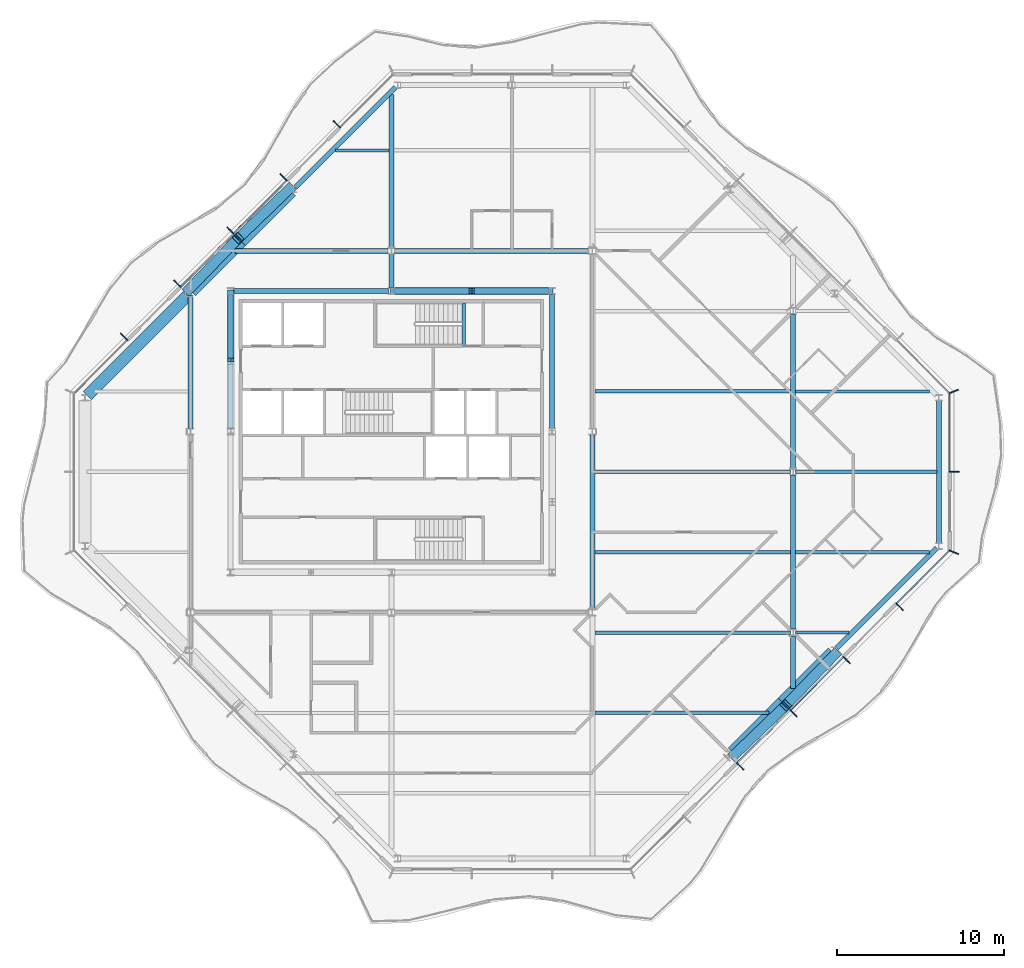
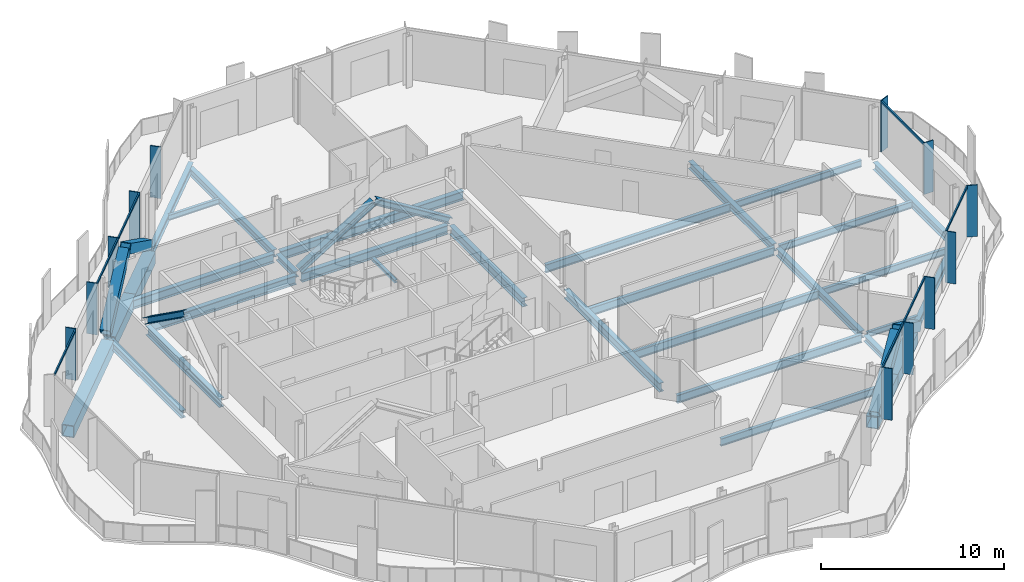
# One storey, part 4 of 16: 32 beams, 26 members, 4 elements without a shape of their own.
"""IFC4 building model written with IfcOpenShell, lengths in metres."""

from ifc_helpers import new_model, si_unit, direction, frame, origin, origin_2d, place, context, subcontext, project, spatial, rectangle, hollow_rectangle, i_section, extrude, material, material_profile, profile_set, type_object, element, aggregate, save


model = new_model("IFC4")

# Units and contexts
model_context = context("Model", 3, precision=1e-05, world=origin(), true_north=direction((0.0, 1.0)))
body_context = subcontext(model_context, "Body", "Model", "MODEL_VIEW")
ifc_project = project(units=[si_unit("LENGTHUNIT", "METRE"), si_unit("AREAUNIT", "SQUARE_METRE"), si_unit("VOLUMEUNIT", "CUBIC_METRE"), si_unit("PLANEANGLEUNIT", "RADIAN"), si_unit("MASSUNIT", "GRAM", prefix="KILO")], contexts=[model_context])

# Site, building, storey
site_placement = place(None, origin())
site = spatial("IfcSite", under=ifc_project, at=site_placement, CompositionType="ELEMENT")
building_placement = place(site_placement, origin())
building = spatial("IfcBuilding", under=site, at=building_placement, Name="Cairn Pilgrim Tower", CompositionType="ELEMENT")
storey_placement = place(building_placement, frame((0.0, 0.0, 288.60009765625)))
storey = spatial("IfcBuildingStorey", under=building, at=storey_placement, Name="L74", CompositionType="ELEMENT", Elevation=288.60009765625)

# Members
ifc_material_1 = material(Name="Structural steel S460M", Category="steel")
ifc_material_profile_1 = material_profile(ifc_material_1, hollow_rectangle(XDim=0.60009765625, YDim=0.60009765625, WallThickness=0.034912109375, at=origin_2d()), Name="BOX 600x600x35")
ifc_profile_set_1 = profile_set([ifc_material_profile_1], Name="Structural steel S460M")
member_type_1 = type_object("IfcMemberType", Name="BOX 600x600x35 BRACE", PredefinedType="BRACE", material=ifc_profile_set_1)
for number, where, z_axis, x_axis, name in (
    (1, (27.602294921875, -16.98779296875, 0.14990234375), (0.613660799233, 0.591469196702, 0.523053164447), (-0.693968270733, 0.720005582767, 0.0), "XB-SE2-SE3-1"),
    (2, (33.78759765625, -10.80224609375, 0.14990234375), (-0.59143769276, -0.613678385942, 0.52306815446), (0.720033989027, -0.693938797478, 0.0), "XB-SE2-SE3-2"),
    (3, (1.19775390625, 16.98779296875, 0.14990234375), (-0.613660799233, -0.591469196702, 0.523053164447), (0.693968270733, -0.720005582767, 0.0), "XB-NW2-NW3-1"),
    (4, (-4.98779296875, 10.80224609375, 0.14990234375), (0.591469196702, 0.613660799233, 0.523053164447), (-0.720005582767, 0.693968270733, 0.0), "XB-NW2-NW3-2"),
):
    element("IfcMember", number, at=place(storey_placement, frame(where, z_axis=z_axis, x_axis=x_axis)), inside=storey, type_object=member_type_1, Name=name, PredefinedType="BRACE", context=body_context, shape_type="SweptSolid", body=[
        extrude(hollow_rectangle(XDim=0.60009765625, YDim=0.60009765625, WallThickness=0.034912109375, at=origin_2d()), origin(), (0.0, 0.0, 1.0), 5.03857421875),
    ])

# Beams
ifc_material_2 = material(Name="Structural steel S355J2", Category="steel")
ifc_material_profile_2 = material_profile(ifc_material_2, hollow_rectangle(XDim=0.699951171875, YDim=0.800048828125, WallThickness=0.0400390625, at=origin_2d()), Name="BOX 700x800x40")
ifc_profile_set_2 = profile_set([ifc_material_profile_2], Name="Structural steel S355J2")
beam_type_1 = type_object("IfcBeamType", Name="BOX 700x800x40 RING GIRDER", PredefinedType="SPANDREL", material=ifc_profile_set_2)
for number, where, z_axis, x_axis, name in (
    (5, (27.575927734375, -16.751220703125, -0.550048828125), (0.707135671578, 0.707077889614, 0.0), (-0.707077889614, 0.707135671578, 0.0), "RG4-SE2-SE3-1"),
    (6, (30.563720703125, -13.763671875, -0.550048828125), (0.707077889614, 0.707135671578, 0.0), (-0.707135671578, 0.707077889614, 0.0), "RG4-SE2-SE3-2"),
    (7, (1.22412109375, 16.751220703125, -0.550048828125), (-0.707135671578, -0.707077889614, 0.0), (0.707077889614, -0.707135671578, 0.0), "RG4-NW2-NW3-1"),
    (8, (-1.763671875, 13.763671875, -0.550048828125), (-0.707077889614, -0.707135671578, 0.0), (0.707135671578, -0.707077889614, 0.0), "RG4-NW2-NW3-2"),
):
    element("IfcBeam", number, at=place(storey_placement, frame(where, z_axis=z_axis, x_axis=x_axis)), inside=storey, type_object=beam_type_1, Name=name, PredefinedType="SPANDREL", context=body_context, shape_type="SweptSolid", body=[
        extrude(hollow_rectangle(XDim=0.699951171875, YDim=0.800048828125, WallThickness=0.0400390625, at=origin_2d()), origin(), (0.0, 0.0, 1.0), 4.22509765625),
    ])
beam_1_placement = place(storey_placement, frame((-5.000244140625, 10.527099609375, -0.550048828125), z_axis=(-0.707092335843, -0.707121226235, 0.0), x_axis=(0.707121226235, -0.707092335843, 0.0)))
element("IfcBeam", 9, at=beam_1_placement, inside=storey, type_object=beam_type_1, Name="RG4-NW3-W1", PredefinedType="SPANDREL", context=body_context, shape_type="SweptSolid", body=[
    extrude(hollow_rectangle(XDim=0.699951171875, YDim=0.800048828125, WallThickness=0.0400390625, at=origin_2d()), origin(), (0.0, 0.0, 1.0), 8.45068359375),
])

# Curtain wall, members
ifc_material_3 = material(Name="Aluminium alloy 6063-T6 bronze anodised with Bronze tinted laminated low-E glass 8+16+8.8", Category="aluminium")
curtain_wall_type = type_object("IfcCurtainWallType", Name="CROWN CURTAIN WALL", PredefinedType="NOTDEFINED", material=ifc_material_3)
curtain_wall_1_placement = place(storey_placement, origin())
curtain_wall_1 = element("IfcCurtainWall", 10, at=curtain_wall_1_placement, inside=storey, type_object=curtain_wall_type, Name="Crown Curtain Wall SE", PredefinedType="NOTDEFINED")
ifc_material_4 = material(Name="Aluminium alloy 6063-T6 bronze anodised", Category="aluminium")
ifc_material_profile_3 = material_profile(ifc_material_4, rectangle(XDim=0.60009765625, YDim=0.06005859375, at=origin_2d()), Name="FIN MULLION 60x600 BRONZE")
ifc_profile_set_3 = profile_set([ifc_material_profile_3], Name="Aluminium alloy 6063-T6 bronze anodised")
member_type_2 = type_object("IfcMemberType", Name="FIN MULLION 60x600 BRONZE", PredefinedType="MULLION", material=ifc_profile_set_3)
member_1_placement = place(storey_placement, frame((28.03857421875, -17.58984375, 0.0), z_axis=(0.0, 0.0, 1.0), x_axis=(0.707106781187, -0.707106781187, 0.0)))
member_1 = element("IfcMember", 11, at=member_1_placement, type_object=member_type_2, Name="Fin mullion SE3", PredefinedType="MULLION", context=body_context, shape_type="SweptSolid", body=[
    extrude(rectangle(XDim=0.60009765625, YDim=0.06005859375, at=origin_2d()), origin(), (0.0, 0.0, 1.0), 3.449951171875),
])
member_2_placement = place(storey_placement, frame((31.214111328125, -14.4140625, 0.0), z_axis=(0.0, 0.0, 1.0), x_axis=(0.707106781187, -0.707106781187, 0.0)))
member_2 = element("IfcMember", 12, at=member_2_placement, type_object=member_type_2, Name="Fin mullion SE4", PredefinedType="MULLION", context=body_context, shape_type="SweptSolid", body=[
    extrude(rectangle(XDim=0.60009765625, YDim=0.06005859375, at=origin_2d()), origin(), (0.0, 0.0, 1.0), 3.449951171875),
])
member_3_placement = place(storey_placement, frame((34.3896484375, -11.238525390625, 0.0), z_axis=(0.0, 0.0, 1.0), x_axis=(0.707106781187, -0.707106781187, 0.0)))
member_3 = element("IfcMember", 13, at=member_3_placement, type_object=member_type_2, Name="Fin mullion SE5", PredefinedType="MULLION", context=body_context, shape_type="SweptSolid", body=[
    extrude(rectangle(XDim=0.60009765625, YDim=0.06005859375, at=origin_2d()), origin(), (0.0, 0.0, 1.0), 3.449951171875),
])
member_4_placement = place(storey_placement, frame((37.5654296875, -8.06298828125, 0.0), z_axis=(0.0, 0.0, 1.0), x_axis=(0.707106781187, -0.707106781187, 0.0)))
member_4 = element("IfcMember", 14, at=member_4_placement, type_object=member_type_2, Name="Fin mullion SE6", PredefinedType="MULLION", context=body_context, shape_type="SweptSolid", body=[
    extrude(rectangle(XDim=0.60009765625, YDim=0.06005859375, at=origin_2d()), origin(), (0.0, 0.0, 1.0), 3.449951171875),
])

curtain_wall_2_placement = place(storey_placement, origin())
curtain_wall_2 = element("IfcCurtainWall", 15, at=curtain_wall_2_placement, inside=storey, type_object=curtain_wall_type, Name="Crown Curtain Wall E", PredefinedType="NOTDEFINED")
member_5_placement = place(storey_placement, frame((40.799560546875, -4.7998046875, 0.0), z_axis=(0.0, 0.0, 1.0), x_axis=(0.923879532511, -0.382683432365, 0.0)))
member_5 = element("IfcMember", 16, at=member_5_placement, type_object=member_type_2, Name="Fin mullion E1", PredefinedType="MULLION", context=body_context, shape_type="SweptSolid", body=[
    extrude(rectangle(XDim=0.60009765625, YDim=0.06005859375, at=origin_2d()), origin(), (0.0, 0.0, 1.0), 3.449951171875),
])
member_6_placement = place(storey_placement, frame((40.820068359375, 0.0, 0.0), z_axis=(0.0, 0.0, 1.0), x_axis=(1.0, 0.0, 0.0)))
member_6 = element("IfcMember", 17, at=member_6_placement, type_object=member_type_2, Name="Fin mullion E2", PredefinedType="MULLION", context=body_context, shape_type="SweptSolid", body=[
    extrude(rectangle(XDim=0.60009765625, YDim=0.06005859375, at=origin_2d()), origin(), (0.0, 0.0, 1.0), 3.449951171875),
])

# Curtain wall, member
curtain_wall_3_placement = place(storey_placement, origin())
curtain_wall_3 = element("IfcCurtainWall", 18, at=curtain_wall_3_placement, inside=storey, type_object=curtain_wall_type, Name="Crown Curtain Wall NE", PredefinedType="NOTDEFINED")
member_7_placement = place(storey_placement, frame((40.799560546875, 4.7998046875, 0.0), z_axis=(0.0, 0.0, 1.0), x_axis=(0.923879532511, 0.382683432365, 0.0)))
member_7 = element("IfcMember", 19, at=member_7_placement, type_object=member_type_2, Name="Fin mullion NE1", PredefinedType="MULLION", context=body_context, shape_type="SweptSolid", body=[
    extrude(rectangle(XDim=0.60009765625, YDim=0.06005859375, at=origin_2d()), origin(), (0.0, 0.0, 1.0), 3.449951171875),
])
aggregate(curtain_wall_3, [member_7])

# Curtain wall, members
curtain_wall_4_placement = place(storey_placement, origin())
curtain_wall_4 = element("IfcCurtainWall", 20, at=curtain_wall_4_placement, inside=storey, type_object=curtain_wall_type, Name="Crown Curtain Wall NW", PredefinedType="NOTDEFINED")
member_8_placement = place(storey_placement, frame((3.93701171875, 20.765380859375, 0.0), z_axis=(0.0, 0.0, 1.0), x_axis=(-0.707106781187, 0.707106781187, 0.0)))
member_8 = element("IfcMember", 21, at=member_8_placement, type_object=member_type_2, Name="Fin mullion NW2", PredefinedType="MULLION", context=body_context, shape_type="SweptSolid", body=[
    extrude(rectangle(XDim=0.60009765625, YDim=0.06005859375, at=origin_2d()), origin(), (0.0, 0.0, 1.0), 3.449951171875),
])
member_9_placement = place(storey_placement, frame((0.761474609375, 17.58984375, 0.0), z_axis=(0.0, 0.0, 1.0), x_axis=(-0.707106781187, 0.707106781187, 0.0)))
member_9 = element("IfcMember", 22, at=member_9_placement, type_object=member_type_2, Name="Fin mullion NW3", PredefinedType="MULLION", context=body_context, shape_type="SweptSolid", body=[
    extrude(rectangle(XDim=0.60009765625, YDim=0.06005859375, at=origin_2d()), origin(), (0.0, 0.0, 1.0), 3.449951171875),
])
member_10_placement = place(storey_placement, frame((-2.4140625, 14.4140625, 0.0), z_axis=(0.0, 0.0, 1.0), x_axis=(-0.707106781187, 0.707106781187, 0.0)))
member_10 = element("IfcMember", 23, at=member_10_placement, type_object=member_type_2, Name="Fin mullion NW4", PredefinedType="MULLION", context=body_context, shape_type="SweptSolid", body=[
    extrude(rectangle(XDim=0.60009765625, YDim=0.06005859375, at=origin_2d()), origin(), (0.0, 0.0, 1.0), 3.449951171875),
])
member_11_placement = place(storey_placement, frame((-5.58984375, 11.238525390625, 0.0), z_axis=(0.0, 0.0, 1.0), x_axis=(-0.707106781187, 0.707106781187, 0.0)))
member_11 = element("IfcMember", 24, at=member_11_placement, type_object=member_type_2, Name="Fin mullion NW5", PredefinedType="MULLION", context=body_context, shape_type="SweptSolid", body=[
    extrude(rectangle(XDim=0.60009765625, YDim=0.06005859375, at=origin_2d()), origin(), (0.0, 0.0, 1.0), 3.449951171875),
])
member_12_placement = place(storey_placement, frame((-8.765380859375, 8.06298828125, 0.0), z_axis=(0.0, 0.0, 1.0), x_axis=(-0.707106781187, 0.707106781187, 0.0)))
member_12 = element("IfcMember", 25, at=member_12_placement, type_object=member_type_2, Name="Fin mullion NW6", PredefinedType="MULLION", context=body_context, shape_type="SweptSolid", body=[
    extrude(rectangle(XDim=0.60009765625, YDim=0.06005859375, at=origin_2d()), origin(), (0.0, 0.0, 1.0), 3.449951171875),
])

# Members
ifc_material_profile_4 = material_profile(ifc_material_2, i_section(OverallWidth=0.39794921875, OverallDepth=0.386962890625, WebThickness=0.02099609375, FlangeThickness=0.033203125, FilletRadius=0.014892578125, at=origin_2d()), Name="HD 400x262")
ifc_profile_set_4 = profile_set([ifc_material_profile_4], Name="Structural steel S355J2")
member_type_3 = type_object("IfcMemberType", Name="HD 400x262 BRACE", PredefinedType="BRACE", material=ifc_profile_set_4)
for number, where, z_axis, x_axis, name in (
    (26, (16.76025390625, 10.800048828125, 0.099853515625), (-0.851209328867, 0.0, 0.524826331703), (0.0, -1.0, 0.0), "KB-3A"),
    (27, (7.23974609375, 10.800048828125, 0.099853515625), (0.851209328867, 0.0, 0.524826331703), (0.0, 1.0, 0.0), "KB-3B"),
):
    element("IfcMember", number, at=place(storey_placement, frame(where, z_axis=z_axis, x_axis=x_axis)), inside=storey, type_object=member_type_3, Name=name, PredefinedType="BRACE", context=body_context, shape_type="SweptSolid", body=[
        extrude(i_section(OverallWidth=0.39794921875, OverallDepth=0.386962890625, WebThickness=0.02099609375, FlangeThickness=0.033203125, FilletRadius=0.014892578125, at=origin_2d()), origin(), (0.0, 0.0, 1.0), 5.530029296875),
    ])
member_13_placement = place(storey_placement, frame((-2.39990234375, 10.76025390625, 0.099853515625), z_axis=(0.0, -0.814462005215, 0.580216892258), x_axis=(1.0, 0.0, 0.0)))
element("IfcMember", 28, at=member_13_placement, inside=storey, type_object=member_type_3, Name="KB-4A", PredefinedType="BRACE", context=body_context, shape_type="SweptSolid", body=[
    extrude(i_section(OverallWidth=0.39794921875, OverallDepth=0.386962890625, WebThickness=0.02099609375, FlangeThickness=0.033203125, FilletRadius=0.014892578125, at=origin_2d()), origin(), (0.0, 0.0, 1.0), 4.999755859375),
])

# Beams
ifc_material_profile_5 = material_profile(ifc_material_2, i_section(OverallWidth=0.300048828125, OverallDepth=0.39990234375, WebThickness=0.013427734375, FlangeThickness=0.02392578125, FilletRadius=0.027099609375, at=origin_2d()), Name="HEB 400")
ifc_profile_set_5 = profile_set([ifc_material_profile_5], Name="Structural steel S355J2")
beam_type_2 = type_object("IfcBeamType", Name="HEB 400 GIRDER", PredefinedType="BEAM", material=ifc_profile_set_5)
beam_2_placement = place(storey_placement, frame((7.199951171875, 10.9990234375, -0.35009765625), z_axis=(0.0, 1.0, 0.0), x_axis=(-1.0, 0.0, 0.0)))
element("IfcBeam", 29, at=beam_2_placement, inside=storey, type_object=beam_type_2, Name="PG3-E2", PredefinedType="BEAM", context=body_context, shape_type="SweptSolid", body=[
    extrude(i_section(OverallWidth=0.300048828125, OverallDepth=0.39990234375, WebThickness=0.013427734375, FlangeThickness=0.02392578125, FilletRadius=0.027099609375, at=origin_2d()), origin(), (0.0, 0.0, 1.0), 2.00390625),
])
beam_3_placement = place(storey_placement, frame((31.199951171875, -12.945068359375, -0.35009765625), z_axis=(0.0, 1.0, 0.0), x_axis=(-1.0, 0.0, 0.0)))
element("IfcBeam", 30, at=beam_3_placement, inside=storey, type_object=beam_type_2, Name="PG5-1", PredefinedType="BEAM", context=body_context, shape_type="SweptSolid", body=[
    extrude(i_section(OverallWidth=0.300048828125, OverallDepth=0.39990234375, WebThickness=0.013427734375, FlangeThickness=0.02392578125, FilletRadius=0.027099609375, at=origin_2d()), origin(), (0.0, 0.0, 1.0), 3.14794921875),
])
ifc_material_profile_6 = material_profile(ifc_material_2, i_section(OverallWidth=0.300048828125, OverallDepth=0.5, WebThickness=0.014404296875, FlangeThickness=0.028076171875, FilletRadius=0.027099609375, at=origin_2d()), Name="HEB 500")
ifc_profile_set_6 = profile_set([ifc_material_profile_6], Name="Structural steel S355J2")
beam_type_3 = type_object("IfcBeamType", Name="HEB 500 GIRDER", PredefinedType="BEAM", material=ifc_profile_set_6)
beam_4_placement = place(storey_placement, frame((-4.800048828125, 2.596923828125, -0.400146484375), z_axis=(0.0, 1.0, 0.0), x_axis=(-1.0, 0.0, 0.0)))
element("IfcBeam", 31, at=beam_4_placement, inside=storey, type_object=beam_type_3, Name="PG2-2", PredefinedType="BEAM", context=body_context, shape_type="SweptSolid", body=[
    extrude(i_section(OverallWidth=0.300048828125, OverallDepth=0.5, WebThickness=0.014404296875, FlangeThickness=0.028076171875, FilletRadius=0.027099609375, at=origin_2d()), origin(), (0.0, 0.0, 1.0), 7.9482421875),
])
beam_5_placement = place(storey_placement, frame((7.199951171875, 13.39697265625, -0.400146484375), z_axis=(0.0, 1.0, 0.0), x_axis=(-1.0, 0.0, 0.0)))
element("IfcBeam", 32, at=beam_5_placement, inside=storey, type_object=beam_type_3, Name="PG3-2", PredefinedType="BEAM", context=body_context, shape_type="SweptSolid", body=[
    extrude(i_section(OverallWidth=0.300048828125, OverallDepth=0.5, WebThickness=0.014404296875, FlangeThickness=0.028076171875, FilletRadius=0.027099609375, at=origin_2d()), origin(), (0.0, 0.0, 1.0), 9.148193359375),
])
for number, where, z_axis, x_axis, name in (
    (33, (31.199951171875, -9.403076171875, -0.400146484375), (0.0, 1.0, 0.0), (-1.0, 0.0, 0.0), "PG5-2"),
    (34, (31.199951171875, 0.197021484375, -0.400146484375), (0.0, 1.0, 0.0), (-1.0, 0.0, 0.0), "PG5-3"),
):
    element("IfcBeam", number, at=place(storey_placement, frame(where, z_axis=z_axis, x_axis=x_axis)), inside=storey, type_object=beam_type_3, Name=name, PredefinedType="BEAM", context=body_context, shape_type="SweptSolid", body=[
        extrude(i_section(OverallWidth=0.300048828125, OverallDepth=0.5, WebThickness=0.014404296875, FlangeThickness=0.028076171875, FilletRadius=0.027099609375, at=origin_2d()), origin(), (0.0, 0.0, 1.0), 9.2060546875),
    ])
ifc_material_profile_7 = material_profile(ifc_material_2, i_section(OverallWidth=0.300048828125, OverallDepth=0.5, WebThickness=0.014404296875, FlangeThickness=0.028076171875, FilletRadius=0.027099609375, at=origin_2d()), Name="HEB 500")
ifc_profile_set_7 = profile_set([ifc_material_profile_7], Name="Structural steel S355J2")
beam_type_4 = type_object("IfcBeamType", Name="HEB 500 RING GIRDER", PredefinedType="SPANDREL", material=ifc_profile_set_7)
beam_6_placement = place(storey_placement, frame((33.80029296875, -10.527099609375, -0.400146484375), z_axis=(0.707092335843, 0.707121226235, 0.0), x_axis=(-0.707121226235, 0.707092335843, 0.0)))
element("IfcBeam", 35, at=beam_6_placement, inside=storey, type_object=beam_type_4, Name="RG4-SE3-E1", PredefinedType="SPANDREL", context=body_context, shape_type="SweptSolid", body=[
    extrude(i_section(OverallWidth=0.300048828125, OverallDepth=0.5, WebThickness=0.014404296875, FlangeThickness=0.028076171875, FilletRadius=0.027099609375, at=origin_2d()), origin(), (0.0, 0.0, 1.0), 8.45068359375),
])
beam_7_placement = place(storey_placement, frame((39.89990234375, -4.251220703125, -0.400146484375), z_axis=(0.0, 1.0, 0.0), x_axis=(-1.0, 0.0, 0.0)))
element("IfcBeam", 36, at=beam_7_placement, inside=storey, type_object=beam_type_4, Name="RG4-E1-NE1", PredefinedType="SPANDREL", context=body_context, shape_type="SweptSolid", body=[
    extrude(i_section(OverallWidth=0.300048828125, OverallDepth=0.5, WebThickness=0.014404296875, FlangeThickness=0.028076171875, FilletRadius=0.027099609375, at=origin_2d()), origin(), (0.0, 0.0, 1.0), 8.50244140625),
])
beam_8_placement = place(storey_placement, frame((7.448486328125, 22.9755859375, -0.400146484375), z_axis=(-0.707121226235, -0.707092335843, 0.0), x_axis=(0.707092335843, -0.707121226235, 0.0)))
element("IfcBeam", 37, at=beam_8_placement, inside=storey, type_object=beam_type_4, Name="RG4-NW1-NW2", PredefinedType="SPANDREL", context=body_context, shape_type="SweptSolid", body=[
    extrude(i_section(OverallWidth=0.300048828125, OverallDepth=0.5, WebThickness=0.014404296875, FlangeThickness=0.028076171875, FilletRadius=0.027099609375, at=origin_2d()), origin(), (0.0, 0.0, 1.0), 8.45068359375),
])
ifc_material_profile_8 = material_profile(ifc_material_2, i_section(OverallWidth=0.300048828125, OverallDepth=0.60009765625, WebThickness=0.015380859375, FlangeThickness=0.030029296875, FilletRadius=0.027099609375, at=origin_2d()), Name="HEB 600")
ifc_profile_set_8 = profile_set([ifc_material_profile_8], Name="Structural steel S355J2")
beam_type_5 = type_object("IfcBeamType", Name="HEB 600 CORE BEAM", PredefinedType="BEAM", material=ifc_profile_set_8)
beam_9_placement = place(storey_placement, frame((16.800048828125, 2.5791015625, -0.4501953125), z_axis=(0.0, 1.0, 0.0), x_axis=(-1.0, 0.0, 0.0)))
element("IfcBeam", 38, at=beam_9_placement, inside=storey, type_object=beam_type_5, Name="CB-4", PredefinedType="BEAM", context=body_context, shape_type="SweptSolid", body=[
    extrude(i_section(OverallWidth=0.300048828125, OverallDepth=0.60009765625, WebThickness=0.015380859375, FlangeThickness=0.030029296875, FilletRadius=0.027099609375, at=origin_2d()), origin(), (0.0, 0.0, 1.0), 8.041748046875),
])
beam_10_placement = place(storey_placement, frame((16.620849609375, 10.800048828125, -0.4501953125), z_axis=(-1.0, 0.0, 0.0), x_axis=(0.0, -1.0, 0.0)))
element("IfcBeam", 39, at=beam_10_placement, inside=storey, type_object=beam_type_5, Name="CB-5", PredefinedType="BEAM", context=body_context, shape_type="SweptSolid", body=[
    extrude(i_section(OverallWidth=0.300048828125, OverallDepth=0.60009765625, WebThickness=0.015380859375, FlangeThickness=0.030029296875, FilletRadius=0.027099609375, at=origin_2d()), origin(), (0.0, 0.0, 1.0), 9.24169921875),
])
beam_11_placement = place(storey_placement, frame((7.02099609375, 10.800048828125, -0.4501953125), z_axis=(-1.0, 0.0, 0.0), x_axis=(0.0, -1.0, 0.0)))
element("IfcBeam", 40, at=beam_11_placement, inside=storey, type_object=beam_type_5, Name="CB-6", PredefinedType="BEAM", context=body_context, shape_type="SweptSolid", body=[
    extrude(i_section(OverallWidth=0.300048828125, OverallDepth=0.60009765625, WebThickness=0.015380859375, FlangeThickness=0.030029296875, FilletRadius=0.027099609375, at=origin_2d()), origin(), (0.0, 0.0, 1.0), 9.241943359375),
])
beam_12_placement = place(storey_placement, frame((-2.39990234375, 10.620849609375, -0.4501953125), z_axis=(0.0, -1.0, 0.0), x_axis=(1.0, 0.0, 0.0)))
element("IfcBeam", 41, at=beam_12_placement, inside=storey, type_object=beam_type_5, Name="CB-7", PredefinedType="BEAM", context=body_context, shape_type="SweptSolid", body=[
    extrude(i_section(OverallWidth=0.300048828125, OverallDepth=0.60009765625, WebThickness=0.015380859375, FlangeThickness=0.030029296875, FilletRadius=0.027099609375, at=origin_2d()), origin(), (0.0, 0.0, 1.0), 8.041748046875),
])
ifc_material_profile_9 = material_profile(ifc_material_2, i_section(OverallWidth=0.300048828125, OverallDepth=0.60009765625, WebThickness=0.015380859375, FlangeThickness=0.030029296875, FilletRadius=0.027099609375, at=origin_2d()), Name="HEB 600")
ifc_profile_set_9 = profile_set([ifc_material_profile_9], Name="Structural steel S355J2")
beam_type_6 = type_object("IfcBeamType", Name="HEB 600 GIRDER", PredefinedType="BEAM", material=ifc_profile_set_9)
beam_13_placement = place(storey_placement, frame((19.199951171875, -8.202880859375, -0.4501953125), z_axis=(0.0, 1.0, 0.0), x_axis=(-1.0, 0.0, 0.0)))
element("IfcBeam", 42, at=beam_13_placement, inside=storey, type_object=beam_type_6, Name="PG4-2", PredefinedType="BEAM", context=body_context, shape_type="SweptSolid", body=[
    extrude(i_section(OverallWidth=0.300048828125, OverallDepth=0.60009765625, WebThickness=0.015380859375, FlangeThickness=0.030029296875, FilletRadius=0.027099609375, at=origin_2d()), origin(), (0.0, 0.0, 1.0), 10.40576171875),
])
ifc_material_profile_10 = material_profile(ifc_material_2, i_section(OverallWidth=0.300048828125, OverallDepth=0.60009765625, WebThickness=0.015380859375, FlangeThickness=0.030029296875, FilletRadius=0.027099609375, at=origin_2d()), Name="HEB 600")
ifc_profile_set_10 = profile_set([ifc_material_profile_10], Name="Structural steel S355J2")
beam_type_7 = type_object("IfcBeamType", Name="HEB 600 INNER GIRDER", PredefinedType="BEAM", material=ifc_profile_set_10)
beam_14_placement = place(storey_placement, frame((-2.14501953125, 13.199951171875, -0.4501953125), z_axis=(1.0, 0.0, 0.0), x_axis=(0.0, 1.0, 0.0)))
element("IfcBeam", 43, at=beam_14_placement, inside=storey, type_object=beam_type_7, Name="IG2-1", PredefinedType="BEAM", context=body_context, shape_type="SweptSolid", body=[
    extrude(i_section(OverallWidth=0.300048828125, OverallDepth=0.60009765625, WebThickness=0.015380859375, FlangeThickness=0.030029296875, FilletRadius=0.027099609375, at=origin_2d()), origin(), (0.0, 0.0, 1.0), 9.14794921875),
])
beam_15_placement = place(storey_placement, frame((7.39697265625, 13.199951171875, -0.4501953125), z_axis=(1.0, 0.0, 0.0), x_axis=(0.0, 1.0, 0.0)))
element("IfcBeam", 44, at=beam_15_placement, inside=storey, type_object=beam_type_7, Name="IG2-2", PredefinedType="BEAM", context=body_context, shape_type="SweptSolid", body=[
    extrude(i_section(OverallWidth=0.300048828125, OverallDepth=0.60009765625, WebThickness=0.015380859375, FlangeThickness=0.030029296875, FilletRadius=0.027099609375, at=origin_2d()), origin(), (0.0, 0.0, 1.0), 11.60595703125),
])
ifc_material_profile_11 = material_profile(ifc_material_2, i_section(OverallWidth=0.169921875, OverallDepth=0.360107421875, WebThickness=0.008056640625, FlangeThickness=0.0126953125, FilletRadius=0.01806640625, at=origin_2d()), Name="IPE 360")
ifc_profile_set_11 = profile_set([ifc_material_profile_11], Name="Structural steel S355J2")
beam_type_8 = type_object("IfcBeamType", Name="IPE 360 SECONDARY BEAM", PredefinedType="JOIST", material=ifc_profile_set_11)
for number, where, z_axis, x_axis, name in (
    (45, (31.35009765625, -9.60009765625, -0.330078125), (1.0, 0.0, 0.0), (0.0, 1.0, 0.0), "SB3-2"),
    (46, (3.85498046875, 19.199951171875, -0.330078125), (1.0, 0.0, 0.0), (0.0, 1.0, 0.0), "SB9-1"),
):
    element("IfcBeam", number, at=place(storey_placement, frame(where, z_axis=z_axis, x_axis=x_axis)), inside=storey, type_object=beam_type_8, Name=name, PredefinedType="JOIST", context=body_context, shape_type="SweptSolid", body=[
        extrude(i_section(OverallWidth=0.169921875, OverallDepth=0.360107421875, WebThickness=0.008056640625, FlangeThickness=0.0126953125, FilletRadius=0.01806640625, at=origin_2d()), origin(), (0.0, 0.0, 1.0), 3.195068359375),
    ])
ifc_material_profile_12 = material_profile(ifc_material_2, i_section(OverallWidth=0.18994140625, OverallDepth=0.449951171875, WebThickness=0.009521484375, FlangeThickness=0.0146484375, FilletRadius=0.02099609375, at=origin_2d()), Name="IPE 450")
ifc_profile_set_12 = profile_set([ifc_material_profile_12], Name="Structural steel S355J2")
beam_type_9 = type_object("IfcBeamType", Name="IPE 450 SECONDARY BEAM", PredefinedType="JOIST", material=ifc_profile_set_12)
beam_16_placement = place(storey_placement, frame((31.35009765625, -4.800048828125, -0.375), z_axis=(1.0, 0.0, 0.0), x_axis=(0.0, 1.0, 0.0)))
element("IfcBeam", 47, at=beam_16_placement, inside=storey, type_object=beam_type_9, Name="SB4-3", PredefinedType="JOIST", context=body_context, shape_type="SweptSolid", body=[
    extrude(i_section(OverallWidth=0.18994140625, OverallDepth=0.449951171875, WebThickness=0.009521484375, FlangeThickness=0.0146484375, FilletRadius=0.02099609375, at=origin_2d()), origin(), (0.0, 0.0, 1.0), 7.9951171875),
])
beam_17_placement = place(storey_placement, frame((31.35009765625, 0.0, -0.375), z_axis=(1.0, 0.0, 0.0), x_axis=(0.0, 1.0, 0.0)))
element("IfcBeam", 48, at=beam_17_placement, inside=storey, type_object=beam_type_9, Name="SB5-3", PredefinedType="JOIST", context=body_context, shape_type="SweptSolid", body=[
    extrude(i_section(OverallWidth=0.18994140625, OverallDepth=0.449951171875, WebThickness=0.009521484375, FlangeThickness=0.0146484375, FilletRadius=0.02099609375, at=origin_2d()), origin(), (0.0, 0.0, 1.0), 8.429931640625),
])
beam_18_placement = place(storey_placement, frame((31.35009765625, 4.800048828125, -0.375), z_axis=(1.0, 0.0, 0.0), x_axis=(0.0, 1.0, 0.0)))
element("IfcBeam", 49, at=beam_18_placement, inside=storey, type_object=beam_type_9, Name="SB6-3", PredefinedType="JOIST", context=body_context, shape_type="SweptSolid", body=[
    extrude(i_section(OverallWidth=0.18994140625, OverallDepth=0.449951171875, WebThickness=0.009521484375, FlangeThickness=0.0146484375, FilletRadius=0.02099609375, at=origin_2d()), origin(), (0.0, 0.0, 1.0), 7.9951171875),
])
ifc_material_profile_13 = material_profile(ifc_material_2, i_section(OverallWidth=0.199951171875, OverallDepth=0.5, WebThickness=0.01025390625, FlangeThickness=0.01611328125, FilletRadius=0.02099609375, at=origin_2d()), Name="IPE 500")
ifc_profile_set_13 = profile_set([ifc_material_profile_13], Name="Structural steel S355J2")
beam_type_10 = type_object("IfcBeamType", Name="IPE 500 SECONDARY BEAM", PredefinedType="JOIST", material=ifc_profile_set_13)
beam_19_placement = place(storey_placement, frame((19.35009765625, -14.39990234375, -0.400146484375), z_axis=(1.0, 0.0, 0.0), x_axis=(0.0, 1.0, 0.0)))
element("IfcBeam", 50, at=beam_19_placement, inside=storey, type_object=beam_type_10, Name="SB2-3", PredefinedType="JOIST", context=body_context, shape_type="SweptSolid", body=[
    extrude(i_section(OverallWidth=0.199951171875, OverallDepth=0.5, WebThickness=0.01025390625, FlangeThickness=0.01611328125, FilletRadius=0.02099609375, at=origin_2d()), origin(), (0.0, 0.0, 1.0), 10.39501953125),
])
ifc_material_profile_14 = material_profile(ifc_material_2, i_section(OverallWidth=0.2099609375, OverallDepth=0.550048828125, WebThickness=0.010986328125, FlangeThickness=0.01708984375, FilletRadius=0.02392578125, at=origin_2d()), Name="IPE 550")
ifc_profile_set_14 = profile_set([ifc_material_profile_14], Name="Structural steel S355J2")
beam_type_11 = type_object("IfcBeamType", Name="IPE 550 SECONDARY BEAM", PredefinedType="JOIST", material=ifc_profile_set_14)
for number, where, z_axis, x_axis, name in (
    (51, (19.35009765625, -9.60009765625, -0.425048828125), (1.0, 0.0, 0.0), (0.0, 1.0, 0.0), "SB3-1"),
    (52, (19.35009765625, -4.800048828125, -0.425048828125), (1.0, 0.0, 0.0), (0.0, 1.0, 0.0), "SB4-2"),
    (53, (19.35009765625, 0.0, -0.425048828125), (1.0, 0.0, 0.0), (0.0, 1.0, 0.0), "SB5-2"),
    (54, (19.35009765625, 4.800048828125, -0.425048828125), (1.0, 0.0, 0.0), (0.0, 1.0, 0.0), "SB6-2"),
):
    element("IfcBeam", number, at=place(storey_placement, frame(where, z_axis=z_axis, x_axis=x_axis)), inside=storey, type_object=beam_type_11, Name=name, PredefinedType="JOIST", context=body_context, shape_type="SweptSolid", body=[
        extrude(i_section(OverallWidth=0.2099609375, OverallDepth=0.550048828125, WebThickness=0.010986328125, FlangeThickness=0.01708984375, FilletRadius=0.02392578125, at=origin_2d()), origin(), (0.0, 0.0, 1.0), 11.699951171875),
    ])
ifc_material_profile_15 = material_profile(ifc_material_2, i_section(OverallWidth=0.199951171875, OverallDepth=0.199951171875, WebThickness=0.009033203125, FlangeThickness=0.014892578125, FilletRadius=0.01806640625, at=origin_2d()), Name="HE 200 B")
ifc_profile_set_15 = profile_set([ifc_material_profile_15], Name="Structural steel S355J2")
beam_type_12 = type_object("IfcBeamType", Name="STAIR LANDING BEAM HE 200 B", PredefinedType="BEAM", material=ifc_profile_set_15)
beam_20_placement = place(storey_placement, frame((11.5244140625, 10.10009765625, -0.25), z_axis=(0.0, -1.0, 0.0), x_axis=(1.0, 0.0, 0.0)))
element("IfcBeam", 55, at=beam_20_placement, inside=storey, type_object=beam_type_12, Name="STAIR LANDING BEAM LD-HE200B", PredefinedType="BEAM", context=body_context, shape_type="SweptSolid", body=[
    extrude(i_section(OverallWidth=0.199951171875, OverallDepth=0.199951171875, WebThickness=0.009033203125, FlangeThickness=0.014892578125, FilletRadius=0.01806640625, at=origin_2d()), origin(), (0.0, 0.0, 1.0), 2.525146484375),
])

# Member
ifc_material_profile_16 = material_profile(ifc_material_4, rectangle(XDim=0.080078125, YDim=0.14990234375, at=origin_2d()), Name="TRANSOM 80x150 BRONZE")
ifc_profile_set_16 = profile_set([ifc_material_profile_16], Name="Aluminium alloy 6063-T6 bronze anodised")
member_type_4 = type_object("IfcMemberType", Name="TRANSOM 80x150 BRONZE", PredefinedType="USERDEFINED", material=ifc_profile_set_16)
member_14_placement = place(storey_placement, frame((27.868896484375, -17.377685546875, 3.375), z_axis=(0.707079231393, 0.707134329907, 0.0), x_axis=(-0.707134329907, 0.707079231393, 0.0)))
member_14 = element("IfcMember", 56, at=member_14_placement, type_object=member_type_4, Name="Transom SE3", ObjectType="TRANSOM", PredefinedType="USERDEFINED", context=body_context, shape_type="SweptSolid", body=[
    extrude(rectangle(XDim=0.080078125, YDim=0.14990234375, at=origin_2d()), origin(), (0.0, 0.0, 1.0), 4.430908203125),
])

member_15_placement = place(storey_placement, frame((31.04443359375, -14.201904296875, 3.375), z_axis=(0.707106781187, 0.707106781187, 0.0), x_axis=(-0.707106781187, 0.707106781187, 0.0)))
member_15 = element("IfcMember", 57, at=member_15_placement, type_object=member_type_4, Name="Transom SE4", ObjectType="TRANSOM", PredefinedType="USERDEFINED", context=body_context, shape_type="SweptSolid", body=[
    extrude(rectangle(XDim=0.080078125, YDim=0.14990234375, at=origin_2d()), origin(), (0.0, 0.0, 1.0), 4.430908203125),
])

member_16_placement = place(storey_placement, frame((37.3955078125, -7.850830078125, 3.375), z_axis=(0.707106781187, 0.707106781187, 0.0), x_axis=(-0.707106781187, 0.707106781187, 0.0)))
member_16 = element("IfcMember", 58, at=member_16_placement, type_object=member_type_4, Name="Transom SE6", ObjectType="TRANSOM", PredefinedType="USERDEFINED", context=body_context, shape_type="SweptSolid", body=[
    extrude(rectangle(XDim=0.080078125, YDim=0.14990234375, at=origin_2d()), origin(), (0.0, 0.0, 1.0), 4.421142578125),
])

aggregate(curtain_wall_1, [member_1, member_2, member_3, member_4, member_14, member_15, member_16])

member_17_placement = place(storey_placement, frame((40.550048828125, 0.030029296875, 3.375), z_axis=(0.0, 1.0, 0.0), x_axis=(-1.0, 0.0, 0.0)))
member_17 = element("IfcMember", 59, at=member_17_placement, type_object=member_type_4, Name="Transom E2", ObjectType="TRANSOM", PredefinedType="USERDEFINED", context=body_context, shape_type="SweptSolid", body=[
    extrude(rectangle(XDim=0.080078125, YDim=0.14990234375, at=origin_2d()), origin(), (0.0, 0.0, 1.0), 4.62646484375),
])

aggregate(curtain_wall_2, [member_5, member_6, member_17])

member_18_placement = place(storey_placement, frame((0.93115234375, 17.377685546875, 3.375), z_axis=(-0.707079231393, -0.707134329907, 0.0), x_axis=(0.707134329907, -0.707079231393, 0.0)))
member_18 = element("IfcMember", 60, at=member_18_placement, type_object=member_type_4, Name="Transom NW3", ObjectType="TRANSOM", PredefinedType="USERDEFINED", context=body_context, shape_type="SweptSolid", body=[
    extrude(rectangle(XDim=0.080078125, YDim=0.14990234375, at=origin_2d()), origin(), (0.0, 0.0, 1.0), 4.430908203125),
])

member_19_placement = place(storey_placement, frame((-2.244384765625, 14.201904296875, 3.375), z_axis=(-0.707134329907, -0.707079231393, 0.0), x_axis=(0.707079231393, -0.707134329907, 0.0)))
member_19 = element("IfcMember", 61, at=member_19_placement, type_object=member_type_4, Name="Transom NW4", ObjectType="TRANSOM", PredefinedType="USERDEFINED", context=body_context, shape_type="SweptSolid", body=[
    extrude(rectangle(XDim=0.080078125, YDim=0.14990234375, at=origin_2d()), origin(), (0.0, 0.0, 1.0), 4.430908203125),
])

member_20_placement = place(storey_placement, frame((-8.595703125, 7.850830078125, 3.375), z_axis=(-0.707079168996, -0.707134392299, 0.0), x_axis=(0.707134392299, -0.707079168996, 0.0)))
member_20 = element("IfcMember", 62, at=member_20_placement, type_object=member_type_4, Name="Transom NW6", ObjectType="TRANSOM", PredefinedType="USERDEFINED", context=body_context, shape_type="SweptSolid", body=[
    extrude(rectangle(XDim=0.080078125, YDim=0.14990234375, at=origin_2d()), origin(), (0.0, 0.0, 1.0), 4.4208984375),
])

aggregate(curtain_wall_4, [member_8, member_9, member_10, member_11, member_12, member_18, member_19, member_20])

save(model, "model.ifc")
